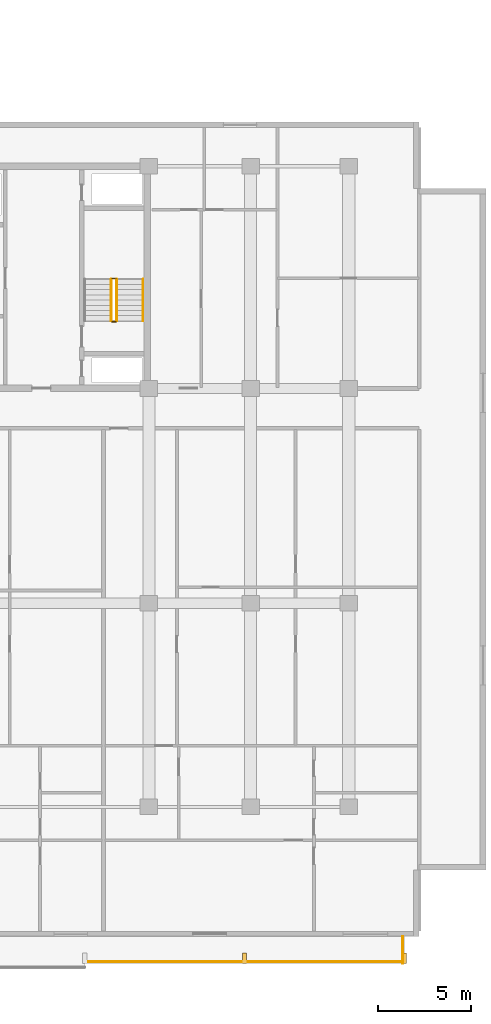
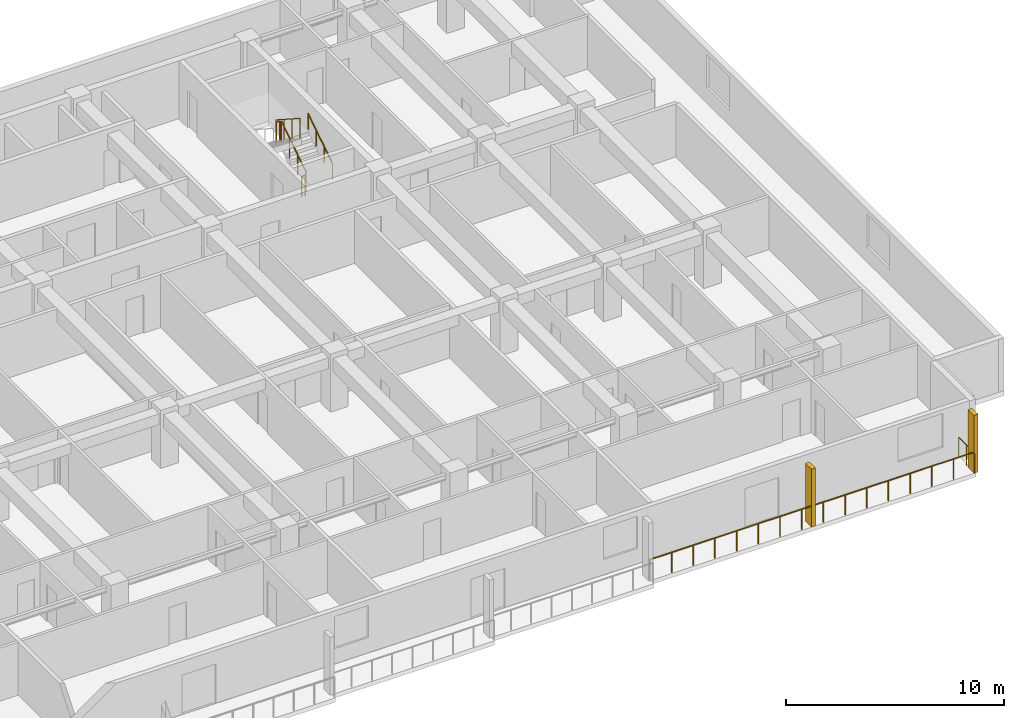
# One storey, part 21 of 23: 7 railings, 2 shading devices.
"""IFC4 building model written with IfcOpenShell, lengths in metres."""

from ifc_helpers import new_model, si_unit, direction, frame, origin, origin_2d, place, context, subcontext, project, spatial, rectangle, circle, extrude, material, type_object, element, save


model = new_model("IFC4")

# Units and contexts
model_context = context("Model", 3, precision=1e-05, world=origin(), true_north=direction((0.0, 1.0)))
body_context = subcontext(model_context, "Body", "Model", "MODEL_VIEW")
ifc_project = project(units=[si_unit("LENGTHUNIT", "METRE"), si_unit("AREAUNIT", "SQUARE_METRE"), si_unit("VOLUMEUNIT", "CUBIC_METRE"), si_unit("PLANEANGLEUNIT", "RADIAN"), si_unit("MASSUNIT", "GRAM", prefix="KILO")], contexts=[model_context])

# Site, building, storey
site_placement = place(None, origin())
site = spatial("IfcSite", under=ifc_project, at=site_placement, CompositionType="ELEMENT")
building_placement = place(site_placement, origin())
building = spatial("IfcBuilding", under=site, at=building_placement, Name="Korimba Cascade Residences", CompositionType="ELEMENT")
storey_placement = place(building_placement, frame((0.0, 0.0, 40.25)))
storey = spatial("IfcBuildingStorey", under=building, at=storey_placement, Name="L10", CompositionType="ELEMENT", Elevation=40.25)

# Railings
ifc_material_1 = material(Name="Laminated Glass and Bronze Balustrade", Category="glass")
railing_type_1 = type_object("IfcRailingType", Name="RLG-LOG-1150", PredefinedType="BALUSTRADE", material=ifc_material_1)
railing_1_placement = place(storey_placement, frame((114.642822265625, -12.570068359375, 0.0)))
element("IfcRailing", 1, at=railing_1_placement, inside=storey, type_object=railing_type_1, Name="L10 Perimeter Guardrail RLG-L10-T2-LOG-06", PredefinedType="BALUSTRADE", context=body_context, shape_type="SweptSolid", body=[
    extrude(circle(Radius=0.02392578125, at=origin_2d()), frame((0.0, 0.0, 1.1259765625), z_axis=(1.0, 0.0, 0.0), x_axis=(0.0, 1.0, 0.0)), (0.0, 0.0, 1.0), 17.257080078125),
    extrude(circle(Radius=0.02099609375, at=origin_2d()), origin(), (0.0, 0.0, 1.0), 1.101806640625),
    extrude(circle(Radius=0.02099609375, at=origin_2d()), frame((1.150390625, 0.0, 0.0)), (0.0, 0.0, 1.0), 1.101806640625),
    extrude(circle(Radius=0.02099609375, at=origin_2d()), frame((2.301025390625, 0.0, 0.0)), (0.0, 0.0, 1.0), 1.101806640625),
    extrude(circle(Radius=0.02099609375, at=origin_2d()), frame((3.451416015625, 0.0, 0.0)), (0.0, 0.0, 1.0), 1.101806640625),
    extrude(circle(Radius=0.02099609375, at=origin_2d()), frame((4.601806640625, 0.0, 0.0)), (0.0, 0.0, 1.0), 1.101806640625),
    extrude(circle(Radius=0.02099609375, at=origin_2d()), frame((5.75244140625, 0.0, 0.0)), (0.0, 0.0, 1.0), 1.101806640625),
    extrude(circle(Radius=0.02099609375, at=origin_2d()), frame((6.90283203125, 0.0, 0.0)), (0.0, 0.0, 1.0), 1.101806640625),
    extrude(circle(Radius=0.02099609375, at=origin_2d()), frame((8.05322265625, 0.0, 0.0)), (0.0, 0.0, 1.0), 1.101806640625),
    extrude(circle(Radius=0.02099609375, at=origin_2d()), frame((9.203857421875, 0.0, 0.0)), (0.0, 0.0, 1.0), 1.101806640625),
    extrude(circle(Radius=0.02099609375, at=origin_2d()), frame((10.354248046875, 0.0, 0.0)), (0.0, 0.0, 1.0), 1.101806640625),
    extrude(circle(Radius=0.02099609375, at=origin_2d()), frame((11.504638671875, 0.0, 0.0)), (0.0, 0.0, 1.0), 1.101806640625),
    extrude(circle(Radius=0.02099609375, at=origin_2d()), frame((12.6552734375, 0.0, 0.0)), (0.0, 0.0, 1.0), 1.101806640625),
    extrude(circle(Radius=0.02099609375, at=origin_2d()), frame((13.8056640625, 0.0, 0.0)), (0.0, 0.0, 1.0), 1.101806640625),
    extrude(circle(Radius=0.02099609375, at=origin_2d()), frame((14.9560546875, 0.0, 0.0)), (0.0, 0.0, 1.0), 1.101806640625),
    extrude(circle(Radius=0.02099609375, at=origin_2d()), frame((16.106689453125, 0.0, 0.0)), (0.0, 0.0, 1.0), 1.101806640625),
    extrude(circle(Radius=0.02099609375, at=origin_2d()), frame((17.257080078125, 0.0, 0.0)), (0.0, 0.0, 1.0), 1.101806640625),
])
railing_2_placement = place(storey_placement, frame((131.820068359375, -12.64990234375, 0.0)))
element("IfcRailing", 2, at=railing_2_placement, inside=storey, type_object=railing_type_1, Name="L10 Perimeter Guardrail RLG-L10-T2-LOG-07", PredefinedType="BALUSTRADE", context=body_context, shape_type="SweptSolid", body=[
    extrude(circle(Radius=0.02392578125, at=origin_2d()), frame((0.0, 0.0, 1.1259765625), z_axis=(0.0, 1.0, 0.0), x_axis=(-1.0, 0.0, 0.0)), (0.0, 0.0, 1.0), 1.449951171875),
    extrude(circle(Radius=0.02099609375, at=origin_2d()), origin(), (0.0, 0.0, 1.0), 1.101806640625),
    extrude(circle(Radius=0.02099609375, at=origin_2d()), frame((0.0, 0.72509765625, 0.0)), (0.0, 0.0, 1.0), 1.101806640625),
    extrude(circle(Radius=0.02099609375, at=origin_2d()), frame((0.0, 1.449951171875, 0.0)), (0.0, 0.0, 1.0), 1.101806640625),
])
ifc_material_2 = material(Name="Painted Steel Stairwell Guardrail", Category="steel")
railing_type_2 = type_object("IfcRailingType", Name="RLG-ST-GD1150", PredefinedType="GUARDRAIL", material=ifc_material_2)
railing_3_placement = place(storey_placement, frame((116.3701171875, 22.050048828125, 0.1806640625)))
element("IfcRailing", 3, at=railing_3_placement, inside=storey, type_object=railing_type_2, Name="L10 ST-E2 stair guard 1", PredefinedType="GUARDRAIL", context=body_context, shape_type="SweptSolid", body=[
    extrude(circle(Radius=0.02392578125, at=origin_2d()), frame((0.0, 0.0, 1.1259765625), z_axis=(0.0, 0.840436612492, 0.541909863706), x_axis=(-1.0, 0.0, 0.0)), (0.0, 0.0, 1.0), 2.665283203125),
    extrude(circle(Radius=0.02099609375, at=origin_2d()), origin(), (0.0, 0.0, 1.0), 1.101806640625),
    extrude(circle(Radius=0.02099609375, at=origin_2d()), frame((0.0, 0.74658203125, 0.4814453125)), (0.0, 0.0, 1.0), 1.101806640625),
    extrude(circle(Radius=0.02099609375, at=origin_2d()), frame((0.0, 1.493408203125, 0.962890625)), (0.0, 0.0, 1.0), 1.101806640625),
    extrude(circle(Radius=0.02099609375, at=origin_2d()), frame((0.0, 2.239990234375, 1.4443359375)), (0.0, 0.0, 1.0), 1.101806640625),
])
railing_4_placement = place(storey_placement, frame((116.320068359375, 24.340087890625, 1.625)))
element("IfcRailing", 4, at=railing_4_placement, inside=storey, type_object=railing_type_2, Name="L10 ST-E2 stair guard 2", PredefinedType="GUARDRAIL", context=body_context, shape_type="SweptSolid", body=[
    extrude(circle(Radius=0.02392578125, at=origin_2d()), frame((0.0, 0.0, 1.1259765625), z_axis=(-1.0, 0.0, 0.0), x_axis=(0.0, -1.0, 0.0)), (0.0, 0.0, 1.0), 0.199951171875),
    extrude(circle(Radius=0.02099609375, at=origin_2d()), origin(), (0.0, 0.0, 1.0), 1.101806640625),
    extrude(circle(Radius=0.02099609375, at=origin_2d()), frame((-0.199951171875, 0.0, 0.0)), (0.0, 0.0, 1.0), 1.101806640625),
])
railing_5_placement = place(storey_placement, frame((116.070068359375, 24.2900390625, 1.8056640625)))
element("IfcRailing", 5, at=railing_5_placement, inside=storey, type_object=railing_type_2, Name="L10 ST-E2 stair guard 3", PredefinedType="GUARDRAIL", context=body_context, shape_type="SweptSolid", body=[
    extrude(circle(Radius=0.02392578125, at=origin_2d()), frame((0.0, 0.0, 1.1259765625), z_axis=(0.0, -0.840436612492, 0.541909863706), x_axis=(1.0, 0.0, 0.0)), (0.0, 0.0, 1.0), 2.665283203125),
    extrude(circle(Radius=0.02099609375, at=origin_2d()), origin(), (0.0, 0.0, 1.0), 1.101806640625),
    extrude(circle(Radius=0.02099609375, at=origin_2d()), frame((0.0, -0.74658203125, 0.4814453125)), (0.0, 0.0, 1.0), 1.101806640625),
    extrude(circle(Radius=0.02099609375, at=origin_2d()), frame((0.0, -1.493408203125, 0.962890625)), (0.0, 0.0, 1.0), 1.101806640625),
    extrude(circle(Radius=0.02099609375, at=origin_2d()), frame((0.0, -2.239990234375, 1.4443359375)), (0.0, 0.0, 1.0), 1.101806640625),
])
railing_6_placement = place(storey_placement, frame((116.320068359375, 22.0, 0.0)))
element("IfcRailing", 6, at=railing_6_placement, inside=storey, type_object=railing_type_2, Name="L10 ST-E2 stair guard 4", PredefinedType="GUARDRAIL", context=body_context, shape_type="SweptSolid", body=[
    extrude(circle(Radius=0.02392578125, at=origin_2d()), frame((0.0, 0.0, 1.1259765625), z_axis=(-1.0, 0.0, 0.0), x_axis=(0.0, -1.0, 0.0)), (0.0, 0.0, 1.0), 0.199951171875),
    extrude(circle(Radius=0.02099609375, at=origin_2d()), origin(), (0.0, 0.0, 1.0), 1.101806640625),
    extrude(circle(Radius=0.02099609375, at=origin_2d()), frame((-0.199951171875, 0.0, 0.0)), (0.0, 0.0, 1.0), 1.101806640625),
])
ifc_material_3 = material(Name="Brushed Stainless Steel Handrail", Category="steel")
railing_type_3 = type_object("IfcRailingType", Name="RLG-ST-HR900", PredefinedType="HANDRAIL", material=ifc_material_3)
railing_7_placement = place(storey_placement, frame((117.7900390625, 22.050048828125, 0.364990234375)))
element("IfcRailing", 7, at=railing_7_placement, inside=storey, type_object=railing_type_3, Name="L10 ST-E2 stair handrail 1", PredefinedType="HANDRAIL", context=body_context, shape_type="SweptSolid", body=[
    extrude(circle(Radius=0.02392578125, at=origin_2d()), frame((0.0, 0.0, 0.8759765625), z_axis=(0.0, 0.840436612492, 0.541909863706), x_axis=(-1.0, 0.0, 0.0)), (0.0, 0.0, 1.0), 2.665283203125),
    extrude(circle(Radius=0.02099609375, at=origin_2d()), origin(), (0.0, 0.0, 1.0), 0.851806640625),
    extrude(circle(Radius=0.02099609375, at=origin_2d()), frame((0.0, 0.74658203125, 0.4814453125)), (0.0, 0.0, 1.0), 0.851806640625),
    extrude(circle(Radius=0.02099609375, at=origin_2d()), frame((0.0, 1.493408203125, 0.962890625)), (0.0, 0.0, 1.0), 0.851806640625),
    extrude(circle(Radius=0.02099609375, at=origin_2d()), frame((0.0, 2.239990234375, 1.4443359375)), (0.0, 0.0, 1.0), 0.851806640625),
])

# Shading devices
ifc_material_4 = material(Name="Honed Sandstone Precast Fin", Category="masonry")
shading_device_type = type_object("IfcShadingDeviceType", Name="SHD-FIN-550", PredefinedType="USERDEFINED", material=ifc_material_4)
for number, where, z_axis, x_axis, name in (
    (8, (123.271484375, -12.375, 0.0), (0.0, 0.0, 1.0), (1.0, 0.0, 0.0), "L10 T2 Warm-Stone Loggia Fin 7"),
    (9, (131.89990234375, -12.375, 0.0), (0.0, 0.0, 1.0), (1.0, 0.0, 0.0), "L10 T2 Warm-Stone Loggia Fin 8"),
):
    element("IfcShadingDevice", number, at=place(storey_placement, frame(where, z_axis=z_axis, x_axis=x_axis)), inside=storey, type_object=shading_device_type, Name=name, ObjectType="FIN", PredefinedType="USERDEFINED", context=body_context, shape_type="SweptSolid", body=[
        extrude(rectangle(XDim=0.219970703125, YDim=0.550048828125, at=origin_2d()), origin(), (0.0, 0.0, 1.0), 3.25),
    ])

save(model, "model.ifc")
